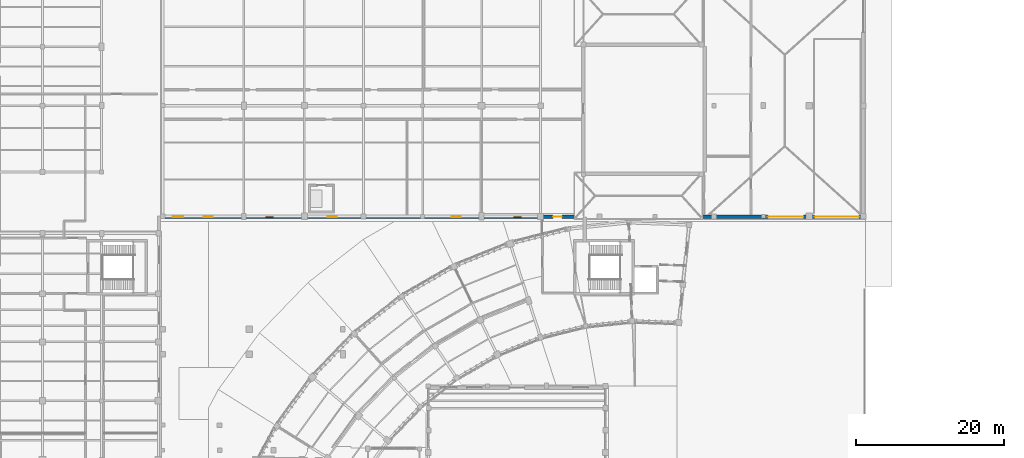
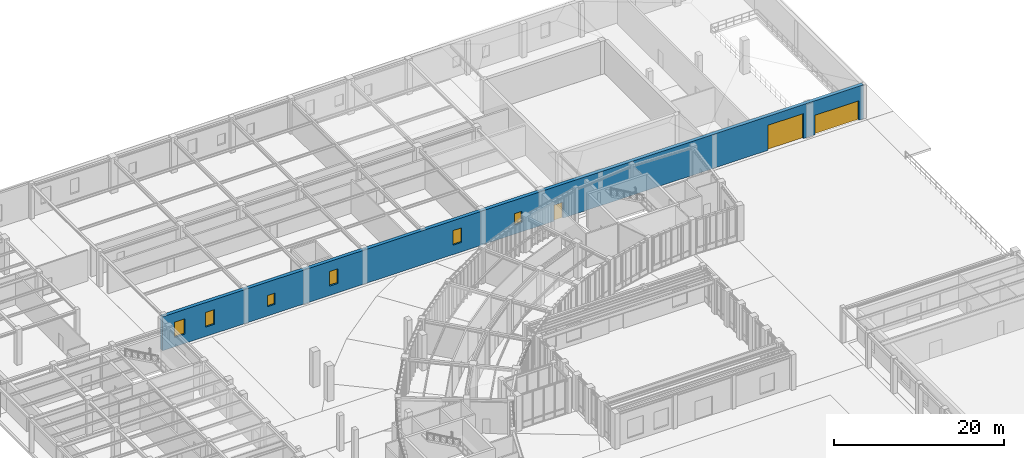
# One storey, part 45 of 68: 6 windows, 3 doors, 1 wall, 9 openings.
"""IFC4 building model written with IfcOpenShell, lengths in metres."""

from ifc_helpers import new_model, si_unit, direction, frame, frame_2d, origin, place, context, subcontext, project, spatial, rectangle, extrude, material, layer, layer_set, type_object, element, fill, save


model = new_model("IFC4")

# Units and contexts
model_context = context("Model", 3, precision=1e-05, world=origin(), true_north=direction((0.0, 1.0)))
body_context = subcontext(model_context, "Body", "Model", "MODEL_VIEW")
ifc_project = project(units=[si_unit("LENGTHUNIT", "METRE"), si_unit("AREAUNIT", "SQUARE_METRE"), si_unit("VOLUMEUNIT", "CUBIC_METRE"), si_unit("PLANEANGLEUNIT", "RADIAN"), si_unit("MASSUNIT", "GRAM", prefix="KILO"), si_unit("THERMODYNAMICTEMPERATUREUNIT", "KELVIN"), si_unit("POWERUNIT", "WATT")], contexts=[model_context])

# Site, building, storey
site_placement = place(None, origin())
site = spatial("IfcSite", under=ifc_project, at=site_placement, CompositionType="ELEMENT")
building_placement = place(site_placement, origin())
building = spatial("IfcBuilding", under=site, at=building_placement, Name="Solvatero Civic Police Headquarters", CompositionType="ELEMENT")
storey_placement = place(building_placement, origin())
storey = spatial("IfcBuildingStorey", under=building, at=storey_placement, Name="L00", CompositionType="ELEMENT", Elevation=0.0)

# Wall, openings, doors, windows
ifc_material_1 = material(Name="Reinforced Masonry", Category="masonry")
ifc_layer = layer(ifc_material_1, 0.47998046875)
ifc_layer_set = layer_set([ifc_layer], Name="Reinforced Masonry")
wall_type = type_object("IfcWallType", Name="WL-EXT-CUST-480", PredefinedType="SOLIDWALL", material=ifc_layer_set)
wall_placement = place(storey_placement, frame((28.5, 85.43994140625, 0.0), z_axis=(0.0, 0.0, 1.0), x_axis=(1.0, 0.0, 0.0)))
wall = element("IfcWall", 1, at=wall_placement, inside=storey, type_object=wall_type, Name="Exterior Wall WLE-L00-V7-S", PredefinedType="SOLIDWALL", context=body_context, shape_type="SweptSolid", body=[
    extrude(rectangle(XDim=95.25, YDim=0.47998046875, at=frame_2d((47.625, 0.0))), origin(), (0.0, 0.0, 1.0), 4.8798828125),
])
opening_1_placement = place(wall_placement, frame((54.39990234375, 0.0, 0.0), z_axis=(0.0, 0.0, 1.0), x_axis=(-1.0, 0.0, 0.0)))
opening_1 = element("IfcOpeningElement", 2, at=opening_1_placement, cuts=wall, Name="Opening ED-03", PredefinedType="OPENING", context=body_context, shape_type="SweptSolid", body=[
    extrude(rectangle(XDim=1.199951171875, YDim=2.300048828125, at=frame_2d((0.60009765625, 1.14990234375))), frame((0.0, 0.25, 0.0), z_axis=(0.0, -1.0, 0.0), x_axis=(1.0, 0.0, 0.0)), (0.0, 0.0, 1.0), 0.5),
])
opening_2_placement = place(wall_placement, frame((87.10009765625, 0.0, 0.0), z_axis=(0.0, 0.0, 1.0), x_axis=(-1.0, 0.0, 0.0)))
opening_2 = element("IfcOpeningElement", 3, at=opening_2_placement, cuts=wall, Name="Opening VG-02", PredefinedType="OPENING", context=body_context, shape_type="SweptSolid", body=[
    extrude(rectangle(XDim=4.800048828125, YDim=3.60009765625, at=frame_2d((2.39990234375, 1.800048828125))), frame((0.0, 0.25, 0.0), z_axis=(0.0, -1.0, 0.0), x_axis=(1.0, 0.0, 0.0)), (0.0, 0.0, 1.0), 0.5),
])
opening_3_placement = place(wall_placement, frame((94.64990234375, 0.0, 0.0), z_axis=(0.0, 0.0, 1.0), x_axis=(-1.0, 0.0, 0.0)))
opening_3 = element("IfcOpeningElement", 4, at=opening_3_placement, cuts=wall, Name="Opening VG-01", PredefinedType="OPENING", context=body_context, shape_type="SweptSolid", body=[
    extrude(rectangle(XDim=6.0, YDim=2.800048828125, at=frame_2d((3.0, 1.39990234375))), frame((0.0, 0.25, 0.0), z_axis=(0.0, -1.0, 0.0), x_axis=(1.0, 0.0, 0.0)), (0.0, 0.0, 1.0), 0.5),
])
opening_4_placement = place(wall_placement, frame((1.64990234375, 0.0, 1.35009765625)))
opening_4 = element("IfcOpeningElement", 5, at=opening_4_placement, cuts=wall, Name="Opening W-02", PredefinedType="OPENING", context=body_context, shape_type="SweptSolid", body=[
    extrude(rectangle(XDim=1.39990234375, YDim=2.199951171875, at=frame_2d((0.699951171875, 1.10009765625))), frame((0.0, 0.25, 0.0), z_axis=(0.0, -1.0, 0.0), x_axis=(1.0, 0.0, 0.0)), (0.0, 0.0, 1.0), 0.5),
])
opening_5_placement = place(wall_placement, frame((5.85009765625, 0.0, 1.35009765625)))
opening_5 = element("IfcOpeningElement", 6, at=opening_5_placement, cuts=wall, Name="Opening W-01", PredefinedType="OPENING", context=body_context, shape_type="SweptSolid", body=[
    extrude(rectangle(XDim=1.199951171875, YDim=2.10009765625, at=frame_2d((0.60009765625, 1.050048828125))), frame((0.0, 0.25, 0.0), z_axis=(0.0, -1.0, 0.0), x_axis=(1.0, 0.0, 0.0)), (0.0, 0.0, 1.0), 0.5),
])
opening_6_placement = place(wall_placement, frame((14.25, 0.0, 1.35009765625)))
opening_6 = element("IfcOpeningElement", 7, at=opening_6_placement, cuts=wall, Name="Opening W-09", PredefinedType="OPENING", context=body_context, shape_type="SweptSolid", body=[
    extrude(rectangle(XDim=1.0, YDim=1.60009765625, at=frame_2d((0.5, 0.800048828125))), frame((0.0, 0.25, 0.0), z_axis=(0.0, -1.0, 0.0), x_axis=(1.0, 0.0, 0.0)), (0.0, 0.0, 1.0), 0.5),
])
opening_7_placement = place(wall_placement, frame((22.64990234375, 0.0, 1.35009765625)))
opening_7 = element("IfcOpeningElement", 8, at=opening_7_placement, cuts=wall, Name="Opening W-01", PredefinedType="OPENING", context=body_context, shape_type="SweptSolid", body=[
    extrude(rectangle(XDim=1.199951171875, YDim=2.10009765625, at=frame_2d((0.60009765625, 1.050048828125))), frame((0.0, 0.25, 0.0), z_axis=(0.0, -1.0, 0.0), x_axis=(1.0, 0.0, 0.0)), (0.0, 0.0, 1.0), 0.5),
])
opening_8_placement = place(wall_placement, frame((39.449951171875, 0.0, 1.35009765625)))
opening_8 = element("IfcOpeningElement", 9, at=opening_8_placement, cuts=wall, Name="Opening W-01", PredefinedType="OPENING", context=body_context, shape_type="SweptSolid", body=[
    extrude(rectangle(XDim=1.199951171875, YDim=2.10009765625, at=frame_2d((0.60009765625, 1.050048828125))), frame((0.0, 0.25, 0.0), z_axis=(0.0, -1.0, 0.0), x_axis=(1.0, 0.0, 0.0)), (0.0, 0.0, 1.0), 0.5),
])
opening_9_placement = place(wall_placement, frame((47.85009765625, 0.0, 1.35009765625)))
opening_9 = element("IfcOpeningElement", 10, at=opening_9_placement, cuts=wall, Name="Opening W-09", PredefinedType="OPENING", context=body_context, shape_type="SweptSolid", body=[
    extrude(rectangle(XDim=1.0, YDim=1.60009765625, at=frame_2d((0.5, 0.800048828125))), frame((0.0, 0.25, 0.0), z_axis=(0.0, -1.0, 0.0), x_axis=(1.0, 0.0, 0.0)), (0.0, 0.0, 1.0), 0.5),
])
ifc_material_2 = material(Name="Anodized Bronze Aluminium and Laminated Glass", Category="aluminium")
door_type_1 = type_object("IfcDoorType", Name="DR-EXT-120x230", OperationType="NOTDEFINED", PredefinedType="DOOR", material=ifc_material_2)
door_1_placement = place(opening_1_placement, origin())
door_1 = element("IfcDoor", 11, at=door_1_placement, inside=storey, type_object=door_type_1, Name="Exterior Door DR-L00-CUST-C3", OperationType="SINGLE_SWING_LEFT", OverallHeight=2.300048828125, OverallWidth=1.199951171875, PredefinedType="DOOR", context=body_context, shape_type="SweptSolid", body=[
    extrude(rectangle(XDim=1.199951171875, YDim=2.300048828125, at=frame_2d((0.60009765625, 1.14990234375))), frame((0.0, 0.02490234375, 0.0), z_axis=(0.0, -1.0, 0.0), x_axis=(1.0, 0.0, 0.0)), (0.0, 0.0, 1.0), 0.050048828125),
])
fill(opening_1, door_1)
ifc_material_3 = material(Name="Armoured Galvanized Steel", Category="steel")
door_type_2 = type_object("IfcDoorType", Name="GT-VEH-480x360", OperationType="ROLLINGUP", PredefinedType="GATE", material=ifc_material_3)
door_2_placement = place(opening_2_placement, origin())
door_2 = element("IfcDoor", 12, at=door_2_placement, inside=storey, type_object=door_type_2, Name="Exterior Door DR-L00-SALLY-IN", OperationType="ROLLINGUP", OverallHeight=3.60009765625, OverallWidth=4.800048828125, PredefinedType="GATE", context=body_context, shape_type="SweptSolid", body=[
    extrude(rectangle(XDim=4.800048828125, YDim=3.60009765625, at=frame_2d((2.39990234375, 1.800048828125))), frame((0.0, 0.02490234375, 0.0), z_axis=(0.0, -1.0, 0.0), x_axis=(1.0, 0.0, 0.0)), (0.0, 0.0, 1.0), 0.050048828125),
])
fill(opening_2, door_2)
door_type_3 = type_object("IfcDoorType", Name="GT-VEH-600x280", OperationType="ROLLINGUP", PredefinedType="GATE", material=ifc_material_3)
door_3_placement = place(opening_3_placement, origin())
door_3 = element("IfcDoor", 13, at=door_3_placement, inside=storey, type_object=door_type_3, Name="Exterior Door DR-L00-RAMP-GATE", OperationType="ROLLINGUP", OverallHeight=2.800048828125, OverallWidth=6.0, PredefinedType="GATE", context=body_context, shape_type="SweptSolid", body=[
    extrude(rectangle(XDim=6.0, YDim=2.800048828125, at=frame_2d((3.0, 1.39990234375))), frame((0.0, 0.02490234375, 0.0), z_axis=(0.0, -1.0, 0.0), x_axis=(1.0, 0.0, 0.0)), (0.0, 0.0, 1.0), 0.050048828125),
])
fill(opening_3, door_3)
ifc_material_4 = material(Name="Anodized Bronze Aluminium", Category="aluminium")
window_type_1 = type_object("IfcWindowType", Name="WN-CL-100x160", PartitioningType="SINGLE_PANEL", PredefinedType="WINDOW", material=ifc_material_4)
window_1_placement = place(opening_6_placement, origin())
window_1 = element("IfcWindow", 14, at=window_1_placement, inside=storey, type_object=window_type_1, Name="Exterior Window 0177", OverallHeight=1.60009765625, OverallWidth=1.0, PartitioningType="SINGLE_PANEL", PredefinedType="WINDOW", context=body_context, shape_type="SweptSolid", body=[
    extrude(rectangle(XDim=1.0, YDim=1.60009765625, at=frame_2d((0.5, 0.800048828125))), frame((0.0, 0.030029296875, 0.0), z_axis=(0.0, -1.0, 0.0), x_axis=(1.0, 0.0, 0.0)), (0.0, 0.0, 1.0), 0.06005859375),
])
fill(opening_6, window_1)
window_2_placement = place(opening_9_placement, origin())
window_2 = element("IfcWindow", 15, at=window_2_placement, inside=storey, type_object=window_type_1, Name="Exterior Window 0180", OverallHeight=1.60009765625, OverallWidth=1.0, PartitioningType="SINGLE_PANEL", PredefinedType="WINDOW", context=body_context, shape_type="SweptSolid", body=[
    extrude(rectangle(XDim=1.0, YDim=1.60009765625, at=frame_2d((0.5, 0.800048828125))), frame((0.0, 0.030029296875, 0.0), z_axis=(0.0, -1.0, 0.0), x_axis=(1.0, 0.0, 0.0)), (0.0, 0.0, 1.0), 0.06005859375),
])
fill(opening_9, window_2)
window_type_2 = type_object("IfcWindowType", Name="WN-CL-120x210", PartitioningType="SINGLE_PANEL", PredefinedType="WINDOW", material=ifc_material_4)
window_3_placement = place(opening_5_placement, origin())
window_3 = element("IfcWindow", 16, at=window_3_placement, inside=storey, type_object=window_type_2, Name="Exterior Window 0176", OverallHeight=2.10009765625, OverallWidth=1.199951171875, PartitioningType="SINGLE_PANEL", PredefinedType="WINDOW", context=body_context, shape_type="SweptSolid", body=[
    extrude(rectangle(XDim=1.199951171875, YDim=2.10009765625, at=frame_2d((0.60009765625, 1.050048828125))), frame((0.0, 0.030029296875, 0.0), z_axis=(0.0, -1.0, 0.0), x_axis=(1.0, 0.0, 0.0)), (0.0, 0.0, 1.0), 0.06005859375),
])
fill(opening_5, window_3)
window_4_placement = place(opening_7_placement, origin())
window_4 = element("IfcWindow", 17, at=window_4_placement, inside=storey, type_object=window_type_2, Name="Exterior Window 0178", OverallHeight=2.10009765625, OverallWidth=1.199951171875, PartitioningType="SINGLE_PANEL", PredefinedType="WINDOW", context=body_context, shape_type="SweptSolid", body=[
    extrude(rectangle(XDim=1.199951171875, YDim=2.10009765625, at=frame_2d((0.60009765625, 1.050048828125))), frame((0.0, 0.030029296875, 0.0), z_axis=(0.0, -1.0, 0.0), x_axis=(1.0, 0.0, 0.0)), (0.0, 0.0, 1.0), 0.06005859375),
])
fill(opening_7, window_4)
window_5_placement = place(opening_8_placement, origin())
window_5 = element("IfcWindow", 18, at=window_5_placement, inside=storey, type_object=window_type_2, Name="Exterior Window 0179", OverallHeight=2.10009765625, OverallWidth=1.199951171875, PartitioningType="SINGLE_PANEL", PredefinedType="WINDOW", context=body_context, shape_type="SweptSolid", body=[
    extrude(rectangle(XDim=1.199951171875, YDim=2.10009765625, at=frame_2d((0.60009765625, 1.050048828125))), frame((0.0, 0.030029296875, 0.0), z_axis=(0.0, -1.0, 0.0), x_axis=(1.0, 0.0, 0.0)), (0.0, 0.0, 1.0), 0.06005859375),
])
fill(opening_8, window_5)
window_type_3 = type_object("IfcWindowType", Name="WN-CL-140x220", PartitioningType="SINGLE_PANEL", PredefinedType="WINDOW", material=ifc_material_4)
window_6_placement = place(opening_4_placement, origin())
window_6 = element("IfcWindow", 19, at=window_6_placement, inside=storey, type_object=window_type_3, Name="Exterior Window 0175", OverallHeight=2.199951171875, OverallWidth=1.39990234375, PartitioningType="SINGLE_PANEL", PredefinedType="WINDOW", context=body_context, shape_type="SweptSolid", body=[
    extrude(rectangle(XDim=1.39990234375, YDim=2.199951171875, at=frame_2d((0.699951171875, 1.10009765625))), frame((0.0, 0.030029296875, 0.0), z_axis=(0.0, -1.0, 0.0), x_axis=(1.0, 0.0, 0.0)), (0.0, 0.0, 1.0), 0.06005859375),
])
fill(opening_4, window_6)

save(model, "model.ifc")
